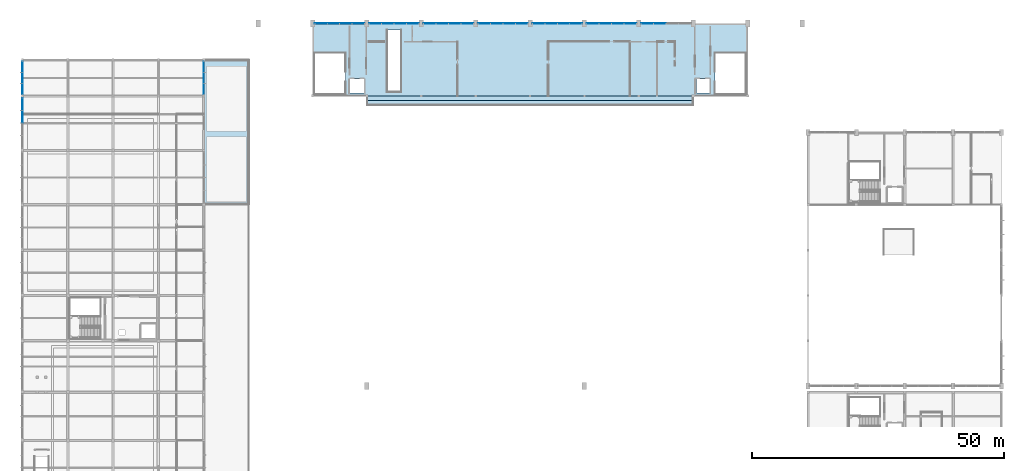
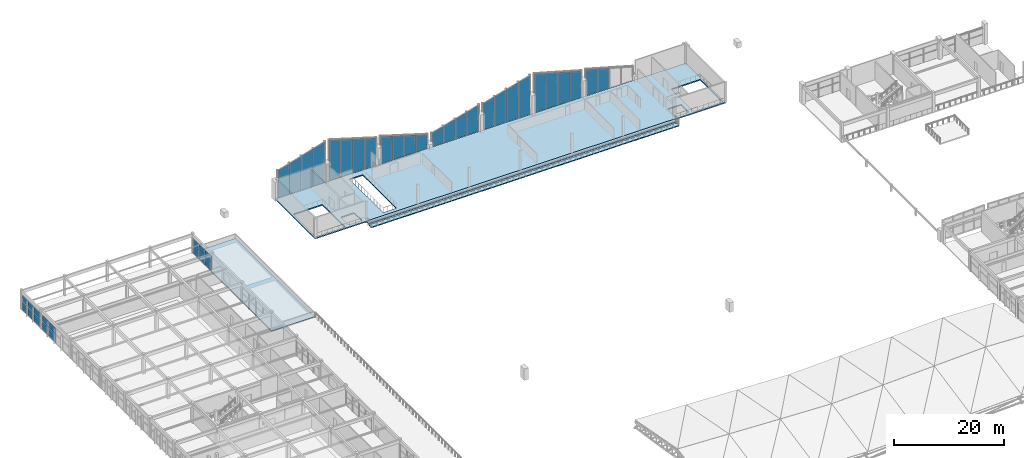
# One storey, part 59 of 89: 42 plates, 4 slabs, 10 elements without a shape of their own.
"""IFC4 building model written with IfcOpenShell, lengths in metres."""

import ifcopenshell
import ifcopenshell.guid

model = None  # the IFC model being written
_history = None  # IfcOwnerHistory: only IFC2X3 demands one
_inside = {}  # id of a spatial element -> (the spatial element, [elements in it])
_under = {}  # id of a project, library or spatial element -> (it, [spatial elements below it])
_declared = {}  # id of a project -> (the project, [libraries it declares])
_typed = {}  # id of a type object -> (the type object, [elements of that type])
_made_of = {}  # id of a material, layer set ... -> (it, [elements and type objects made of it])


def new_model(schema):
    """Start an empty IFC model of exactly this schema.

    Asked for "IFC4X3", IfcOpenShell would pick the latest addendum, in which some entities
    have other attributes; the version numbers below select the first issue.
    IFC2X3 requires an IfcOwnerHistory on every rooted entity: one is made here for all.
    """
    global model, _history
    if schema == "IFC4X3":
        model = ifcopenshell.file(schema_version=(4, 3, 0, 0))
    else:
        model = ifcopenshell.file(schema=schema)
    _inside.clear()
    _under.clear()
    _declared.clear()
    _typed.clear()
    _made_of.clear()
    _history = None
    if model.schema == "IFC2X3":
        org = make("IfcOrganization", Name="unknown")
        user = make(
            "IfcPersonAndOrganization",
            ThePerson=make("IfcPerson", FamilyName="unknown"),
            TheOrganization=org,
        )
        app = make(
            "IfcApplication",
            ApplicationDeveloper=org,
            Version="unknown",
            ApplicationFullName="unknown",
            ApplicationIdentifier="unknown",
        )
        _history = make(
            "IfcOwnerHistory",
            OwningUser=user,
            OwningApplication=app,
            ChangeAction="ADDED",
            CreationDate=0,
        )
    return model


def make(cls, **values):
    """One entity of the class cls with the attributes given. An attribute that is None is left unset."""
    return model.create_entity(
        cls, **{name: value for name, value in values.items() if value is not None}
    )


def rooted(cls, **values):
    """An entity with a GlobalId (a new one), such as an element, a storey or a relation."""
    return make(cls, GlobalId=ifcopenshell.guid.new(), OwnerHistory=_history, **values)


def si_unit(unit_type, name, prefix=None):
    """IfcSIUnit, for example si_unit("LENGTHUNIT", "METRE", prefix="MILLI")."""
    return make("IfcSIUnit", UnitType=unit_type, Prefix=prefix, Name=name)


def assignment(units):
    """IfcUnitAssignment: the units of a project."""
    return None if units is None else make("IfcUnitAssignment", Units=units)


def point(xyz):
    """IfcCartesianPoint."""
    return None if xyz is None else make("IfcCartesianPoint", Coordinates=xyz)


def direction(xyz):
    """IfcDirection."""
    return None if xyz is None else make("IfcDirection", DirectionRatios=xyz)


def frame(location, z_axis=None, x_axis=None):
    """IfcAxis2Placement3D, a coordinate frame: its origin and axes. An axis left out is left unset."""
    return make(
        "IfcAxis2Placement3D",
        Location=point(location),
        Axis=direction(z_axis),
        RefDirection=direction(x_axis),
    )


def origin():
    """The frame at (0, 0, 0) with its axes left unset."""
    return frame((0.0, 0.0, 0.0))


def place(relative_to, where):
    """IfcLocalPlacement: puts the frame where relative to a parent placement (None: the world)."""
    return make(
        "IfcLocalPlacement", PlacementRelTo=relative_to, RelativePlacement=where
    )


def context(
    kind, dimensions, precision=None, world=None, true_north=None, identifier=None
):
    """IfcGeometricRepresentationContext, for example the 3D "Model" context."""
    return make(
        "IfcGeometricRepresentationContext",
        ContextIdentifier=identifier,
        ContextType=kind,
        CoordinateSpaceDimension=dimensions,
        Precision=precision,
        WorldCoordinateSystem=world,
        TrueNorth=true_north,
    )


def subcontext(parent, identifier, kind, view, scale=None):
    """IfcGeometricRepresentationSubContext, for example "Body" below "Model"."""
    return make(
        "IfcGeometricRepresentationSubContext",
        ContextIdentifier=identifier,
        ContextType=kind,
        ParentContext=parent,
        TargetScale=scale,
        TargetView=view,
    )


def project(units=None, contexts=None):
    """IfcProject with its units and contexts."""
    return rooted(
        "IfcProject",
        Name="project",
        RepresentationContexts=contexts,
        UnitsInContext=assignment(units),
    )


def spatial(cls, under=None, at=None, **own):
    """A site, building, storey or space (cls), placed at a placement, below another one or the project."""
    s = rooted(cls, ObjectPlacement=at, **own)
    if under is not None:
        _under.setdefault(under.id(), (under, []))[1].append(s)
    return s


def polyline(points):
    """IfcPolyline through the points."""
    return make("IfcPolyline", Points=[point(p) for p in points])


def outline(outer, holes=None, kind="AREA"):
    """IfcArbitraryClosedProfileDef: a profile drawn as a closed curve; with holes, ...WithVoids."""
    if holes is None:
        return make("IfcArbitraryClosedProfileDef", ProfileType=kind, OuterCurve=outer)
    return make(
        "IfcArbitraryProfileDefWithVoids",
        ProfileType=kind,
        OuterCurve=outer,
        InnerCurves=holes,
    )


def extrude(swept, where, along, depth):
    """IfcExtrudedAreaSolid: the profile swept, set in the frame where, extruded along a direction by depth."""
    return make(
        "IfcExtrudedAreaSolid",
        SweptArea=swept,
        Position=where,
        ExtrudedDirection=direction(along),
        Depth=depth,
    )


def shape(context_of_items, identifier, shape_type, items):
    """IfcShapeRepresentation: the items that make up one representation, for example the "Body"."""
    return make(
        "IfcShapeRepresentation",
        ContextOfItems=context_of_items,
        RepresentationIdentifier=identifier,
        RepresentationType=shape_type,
        Items=items,
    )


def material(Name=None, Category=None):
    """IfcMaterial."""
    return make("IfcMaterial", Name=Name, Category=Category)


def layer(
    of_material, thickness, ventilated=None, Name=None, Category=None, Priority=None
):
    """IfcMaterialLayer: one layer of a wall or slab, of a material (None: an air gap)."""
    return make(
        "IfcMaterialLayer",
        Material=of_material,
        LayerThickness=thickness,
        IsVentilated=ventilated,
        Name=Name,
        Category=Category,
        Priority=Priority,
    )


def layer_set(layers, Name=None):
    """IfcMaterialLayerSet."""
    return make("IfcMaterialLayerSet", MaterialLayers=layers, LayerSetName=Name)


def made_of(thing, what):
    """Note that an element or type object is made of a material, layer set ...; save() writes the relation."""
    if what is not None:
        _made_of.setdefault(what.id(), (what, []))[1].append(thing)
    return thing


def type_object(cls, material=None, **own):
    """A type object (cls), such as IfcWallType, which elements share."""
    return made_of(rooted(cls, **own), material)


def element(
    cls,
    number,
    at=None,
    inside=None,
    cuts=None,
    type_object=None,
    material=None,
    context=None,
    identifier="Body",
    shape_type=None,
    held_by="IfcProductDefinitionShape",
    body=None,
    shapes=None,
    **own,
):
    """One element of the class cls, such as IfcWall. Its Tag is "e" and its number.

    at: its placement. inside: the storey or other place that contains it. cuts: it is an
    opening in that element (IfcRelVoidsElement). A single representation is given by context,
    identifier, shape_type and body (its items); several are given by shapes. held_by: the class
    of the entity that holds the representations. save() writes the other relations.
    """
    e = rooted(cls, Tag="e%d" % number, ObjectPlacement=at, **own)
    if body is not None:
        shapes = [shape(context, identifier, shape_type, body)]
    if shapes is not None:
        e.Representation = make(held_by, Representations=shapes)
    if inside is not None:
        _inside.setdefault(inside.id(), (inside, []))[1].append(e)
    if cuts is not None:
        rooted(
            "IfcRelVoidsElement", RelatingBuildingElement=cuts, RelatedOpeningElement=e
        )
    if type_object is not None:
        _typed.setdefault(type_object.id(), (type_object, []))[1].append(e)
    return made_of(e, material)


def aggregate(whole, parts):
    """IfcRelAggregates: a whole, such as a stair, and the parts it consists of."""
    return rooted("IfcRelAggregates", RelatingObject=whole, RelatedObjects=parts)


def save(model, path):
    """Write the relations noted so far, then the file.

    IfcRelAggregates (storeys below a building ...), IfcRelContainedInSpatialStructure (elements
    in a storey), IfcRelDefinesByType, IfcRelAssociatesMaterial and IfcRelDeclares: one each for
    every whole, place, type object, material and project.
    """
    for whole, parts in _under.values():
        aggregate(whole, parts)
    for where, things in _inside.values():
        rooted(
            "IfcRelContainedInSpatialStructure",
            RelatedElements=things,
            RelatingStructure=where,
        )
    for kind, things in _typed.values():
        rooted("IfcRelDefinesByType", RelatedObjects=things, RelatingType=kind)
    for what, things in _made_of.values():
        rooted("IfcRelAssociatesMaterial", RelatedObjects=things, RelatingMaterial=what)
    for by, libraries in _declared.values():
        rooted("IfcRelDeclares", RelatingContext=by, RelatedDefinitions=libraries)
    model.write(path)


model = new_model("IFC4")

# Units and contexts
model_context = context("Model", 3, precision=1e-05, world=origin(), true_north=direction((0.0, 1.0)))
body_context = subcontext(model_context, "Body", "Model", "MODEL_VIEW")
ifc_project = project(units=[si_unit("LENGTHUNIT", "METRE"), si_unit("AREAUNIT", "SQUARE_METRE"), si_unit("VOLUMEUNIT", "CUBIC_METRE"), si_unit("PLANEANGLEUNIT", "RADIAN"), si_unit("MASSUNIT", "GRAM", prefix="KILO")], contexts=[model_context])

# Site, building, storey
site_placement = place(None, origin())
site = spatial("IfcSite", under=ifc_project, at=site_placement, CompositionType="ELEMENT")
building_placement = place(site_placement, origin())
building = spatial("IfcBuilding", under=site, at=building_placement, Name="Suirenkawa Promenade Aquatics Centre", CompositionType="ELEMENT")
storey_placement = place(building_placement, frame((0.0, 0.0, 9.60009765625)))
storey = spatial("IfcBuildingStorey", under=building, at=storey_placement, Name="L02", CompositionType="ELEMENT", Elevation=9.60009765625)

# Curtain wall, plates
ifc_material_1 = material(Name="Anodised aluminium 6063-T6", Category="aluminium")
curtain_wall_type_1 = type_object("IfcCurtainWallType", Name="CWAT-CLERN-09", PredefinedType="NOTDEFINED", material=ifc_material_1)
curtain_wall_1_placement = place(storey_placement, origin())
curtain_wall_1 = element("IfcCurtainWall", 1, at=curtain_wall_1_placement, inside=storey, type_object=curtain_wall_type_1, Name="Curtain wall CWA-09 CW-013", PredefinedType="NOTDEFINED")
ifc_material_2 = material(Name="Ceramic-fritted low-SHGC double glazing", Category="glass")
ifc_layer_1 = layer(ifc_material_2, 0.031982421875, Name="Ceramic-fritted low-SHGC double glazing", Category="glass")
ifc_layer_set_1 = layer_set([ifc_layer_1], Name="Ceramic-fritted low-SHGC double glazing")
plate_type_1 = type_object("IfcPlateType", Name="CWP-CLER-32", PredefinedType="CURTAIN_PANEL", material=ifc_layer_set_1)
plate_1_placement = place(storey_placement, frame((58.049072265625, 122.39990234375, 0.039794921875), z_axis=(0.0, 0.0, 1.0), x_axis=(1.0, 0.0, 0.0)))
plate_1 = element("IfcPlate", 2, at=plate_1_placement, type_object=plate_type_1, Name="Top glazed panel CP-03 CWP-00299", PredefinedType="CURTAIN_PANEL", context=body_context, shape_type="SweptSolid", body=[
    extrude(outline(polyline([(0.0400390625, 0.0), (2.435546875, 0.0), (2.435546875, 6.820068359375), (0.0400390625, 6.070068359375), (0.0400390625, 0.0)])), frame((0.0, 0.01611328125, 0.0), z_axis=(0.0, -1.0, 0.0), x_axis=(1.0, 0.0, 0.0)), (0.0, 0.0, 1.0), 0.031982421875),
])
plate_2_placement = place(storey_placement, frame((60.5244140625, 122.39990234375, 0.039794921875), z_axis=(0.0, 0.0, 1.0), x_axis=(1.0, 0.0, 0.0)))
plate_2 = element("IfcPlate", 3, at=plate_2_placement, type_object=plate_type_1, Name="Top glazed panel CP-03 CWP-00300", PredefinedType="CURTAIN_PANEL", context=body_context, shape_type="SweptSolid", body=[
    extrude(outline(polyline([(0.0400390625, 0.0), (2.435546875, 0.0), (2.435546875, 7.570068359375), (0.0400390625, 6.820068359375), (0.0400390625, 0.0)])), frame((0.0, 0.01611328125, 0.0), z_axis=(0.0, -1.0, 0.0), x_axis=(1.0, 0.0, 0.0)), (0.0, 0.0, 1.0), 0.031982421875),
])
plate_3_placement = place(storey_placement, frame((63.0, 122.39990234375, 0.039794921875), z_axis=(0.0, 0.0, 1.0), x_axis=(1.0, 0.0, 0.0)))
plate_3 = element("IfcPlate", 4, at=plate_3_placement, type_object=plate_type_1, Name="Top glazed panel CP-03 CWP-00301", PredefinedType="CURTAIN_PANEL", context=body_context, shape_type="SweptSolid", body=[
    extrude(outline(polyline([(0.0400390625, 0.0), (2.435546875, 0.0), (2.435546875, 8.320068359375), (0.0400390625, 7.570068359375), (0.0400390625, 0.0)])), frame((0.0, 0.01611328125, 0.0), z_axis=(0.0, -1.0, 0.0), x_axis=(1.0, 0.0, 0.0)), (0.0, 0.0, 1.0), 0.031982421875),
])
plate_4_placement = place(storey_placement, frame((65.4755859375, 122.39990234375, 0.039794921875), z_axis=(0.0, 0.0, 1.0), x_axis=(1.0, 0.0, 0.0)))
plate_4 = element("IfcPlate", 5, at=plate_4_placement, type_object=plate_type_1, Name="Top glazed panel CP-03 CWP-00302", PredefinedType="CURTAIN_PANEL", context=body_context, shape_type="SweptSolid", body=[
    extrude(outline(polyline([(0.0400390625, 0.0), (2.435546875, 0.0), (2.435546875, 9.070068359375), (0.0400390625, 8.320068359375), (0.0400390625, 0.0)])), frame((0.0, 0.01611328125, 0.0), z_axis=(0.0, -1.0, 0.0), x_axis=(1.0, 0.0, 0.0)), (0.0, 0.0, 1.0), 0.031982421875),
])
aggregate(curtain_wall_1, [plate_1, plate_2, plate_3, plate_4])

curtain_wall_2_placement = place(storey_placement, origin())
curtain_wall_2 = element("IfcCurtainWall", 6, at=curtain_wall_2_placement, inside=storey, type_object=curtain_wall_type_1, Name="Curtain wall CWA-09 CW-015", PredefinedType="NOTDEFINED")
plate_5_placement = place(storey_placement, frame((68.84912109375, 122.39990234375, 0.039794921875), z_axis=(0.0, 0.0, 1.0), x_axis=(1.0, 0.0, 0.0)))
plate_5 = element("IfcPlate", 7, at=plate_5_placement, type_object=plate_type_1, Name="Top glazed panel CP-03 CWP-00337", PredefinedType="CURTAIN_PANEL", context=body_context, shape_type="SweptSolid", body=[
    extrude(outline(polyline([(0.0400390625, 0.0), (2.435546875, 0.0), (2.435546875, 8.320068359375), (0.0400390625, 9.070068359375), (0.0400390625, 0.0)])), frame((0.0, 0.01611328125, 0.0), z_axis=(0.0, -1.0, 0.0), x_axis=(1.0, 0.0, 0.0)), (0.0, 0.0, 1.0), 0.031982421875),
])
plate_6_placement = place(storey_placement, frame((71.324462890625, 122.39990234375, 0.039794921875), z_axis=(0.0, 0.0, 1.0), x_axis=(1.0, 0.0, 0.0)))
plate_6 = element("IfcPlate", 8, at=plate_6_placement, type_object=plate_type_1, Name="Top glazed panel CP-03 CWP-00338", PredefinedType="CURTAIN_PANEL", context=body_context, shape_type="SweptSolid", body=[
    extrude(outline(polyline([(0.0400390625, 0.0), (2.435546875, 0.0), (2.435546875, 7.570068359375), (0.0400390625, 8.320068359375), (0.0400390625, 0.0)])), frame((0.0, 0.01611328125, 0.0), z_axis=(0.0, -1.0, 0.0), x_axis=(1.0, 0.0, 0.0)), (0.0, 0.0, 1.0), 0.031982421875),
])
plate_7_placement = place(storey_placement, frame((73.800048828125, 122.39990234375, 0.039794921875), z_axis=(0.0, 0.0, 1.0), x_axis=(1.0, 0.0, 0.0)))
plate_7 = element("IfcPlate", 9, at=plate_7_placement, type_object=plate_type_1, Name="Top glazed panel CP-03 CWP-00339", PredefinedType="CURTAIN_PANEL", context=body_context, shape_type="SweptSolid", body=[
    extrude(outline(polyline([(0.0400390625, 0.0), (2.435546875, 0.0), (2.435546875, 6.820068359375), (0.0400390625, 7.570068359375), (0.0400390625, 0.0)])), frame((0.0, 0.01611328125, 0.0), z_axis=(0.0, -1.0, 0.0), x_axis=(1.0, 0.0, 0.0)), (0.0, 0.0, 1.0), 0.031982421875),
])
plate_8_placement = place(storey_placement, frame((76.275390625, 122.39990234375, 0.039794921875), z_axis=(0.0, 0.0, 1.0), x_axis=(1.0, 0.0, 0.0)))
plate_8 = element("IfcPlate", 10, at=plate_8_placement, type_object=plate_type_1, Name="Top glazed panel CP-03 CWP-00340", PredefinedType="CURTAIN_PANEL", context=body_context, shape_type="SweptSolid", body=[
    extrude(outline(polyline([(0.0400390625, 0.0), (2.435546875, 0.0), (2.435546875, 6.070068359375), (0.0400390625, 6.820068359375), (0.0400390625, 0.0)])), frame((0.0, 0.01611328125, 0.0), z_axis=(0.0, -1.0, 0.0), x_axis=(1.0, 0.0, 0.0)), (0.0, 0.0, 1.0), 0.031982421875),
])
aggregate(curtain_wall_2, [plate_5, plate_6, plate_7, plate_8])

curtain_wall_type_2 = type_object("IfcCurtainWallType", Name="CWAT-CLERN-10", PredefinedType="NOTDEFINED", material=ifc_material_1)
curtain_wall_3_placement = place(storey_placement, origin())
curtain_wall_3 = element("IfcCurtainWall", 11, at=curtain_wall_3_placement, inside=storey, type_object=curtain_wall_type_2, Name="Curtain wall CWA-10 CW-017", PredefinedType="NOTDEFINED")
plate_9_placement = place(storey_placement, frame((79.64892578125, 122.39990234375, 0.039794921875), z_axis=(0.0, 0.0, 1.0), x_axis=(1.0, 0.0, 0.0)))
plate_9 = element("IfcPlate", 12, at=plate_9_placement, type_object=plate_type_1, Name="Top glazed panel CP-03 CWP-00375", PredefinedType="CURTAIN_PANEL", context=body_context, shape_type="SweptSolid", body=[
    extrude(outline(polyline([(0.0400390625, 0.0), (2.435546875, 0.0), (2.435546875, 5.320068359375), (0.0400390625, 6.070068359375), (0.0400390625, 0.0)])), frame((0.0, 0.01611328125, 0.0), z_axis=(0.0, -1.0, 0.0), x_axis=(1.0, 0.0, 0.0)), (0.0, 0.0, 1.0), 0.031982421875),
])
plate_10_placement = place(storey_placement, frame((82.12451171875, 122.39990234375, 0.039794921875), z_axis=(0.0, 0.0, 1.0), x_axis=(1.0, 0.0, 0.0)))
plate_10 = element("IfcPlate", 13, at=plate_10_placement, type_object=plate_type_1, Name="Top glazed panel CP-03 CWP-00376", PredefinedType="CURTAIN_PANEL", context=body_context, shape_type="SweptSolid", body=[
    extrude(outline(polyline([(0.0400390625, 0.0), (2.435546875, 0.0), (2.435546875, 4.570068359375), (0.0400390625, 5.320068359375), (0.0400390625, 0.0)])), frame((0.0, 0.01611328125, 0.0), z_axis=(0.0, -1.0, 0.0), x_axis=(1.0, 0.0, 0.0)), (0.0, 0.0, 1.0), 0.031982421875),
])
plate_11_placement = place(storey_placement, frame((84.60009765625, 122.39990234375, 0.039794921875), z_axis=(0.0, 0.0, 1.0), x_axis=(1.0, 0.0, 0.0)))
plate_11 = element("IfcPlate", 14, at=plate_11_placement, type_object=plate_type_1, Name="Top glazed panel CP-03 CWP-00377", PredefinedType="CURTAIN_PANEL", context=body_context, shape_type="SweptSolid", body=[
    extrude(outline(polyline([(0.0400390625, 0.0), (2.435546875, 0.0), (2.435546875, 3.820068359375), (0.0400390625, 4.570068359375), (0.0400390625, 0.0)])), frame((0.0, 0.01611328125, 0.0), z_axis=(0.0, -1.0, 0.0), x_axis=(1.0, 0.0, 0.0)), (0.0, 0.0, 1.0), 0.031982421875),
])
plate_12_placement = place(storey_placement, frame((87.075439453125, 122.39990234375, 0.039794921875), z_axis=(0.0, 0.0, 1.0), x_axis=(1.0, 0.0, 0.0)))
plate_12 = element("IfcPlate", 15, at=plate_12_placement, type_object=plate_type_1, Name="Top glazed panel CP-03 CWP-00378", PredefinedType="CURTAIN_PANEL", context=body_context, shape_type="SweptSolid", body=[
    extrude(outline(polyline([(0.0400390625, 0.0), (2.435546875, 0.0), (2.435546875, 3.070068359375), (0.0400390625, 3.820068359375), (0.0400390625, 0.0)])), frame((0.0, 0.01611328125, 0.0), z_axis=(0.0, -1.0, 0.0), x_axis=(1.0, 0.0, 0.0)), (0.0, 0.0, 1.0), 0.031982421875),
])
aggregate(curtain_wall_3, [plate_9, plate_10, plate_11, plate_12])

curtain_wall_type_3 = type_object("IfcCurtainWallType", Name="CWAT-CLERN-13", PredefinedType="NOTDEFINED", material=ifc_material_1)
curtain_wall_4_placement = place(storey_placement, origin())
curtain_wall_4 = element("IfcCurtainWall", 16, at=curtain_wall_4_placement, inside=storey, type_object=curtain_wall_type_3, Name="Curtain wall CWA-13 CW-020", PredefinedType="NOTDEFINED")
plate_13_placement = place(storey_placement, frame((90.448974609375, 122.39990234375, 0.039794921875), z_axis=(0.0, 0.0, 1.0), x_axis=(1.0, 0.0, 0.0)))
plate_13 = element("IfcPlate", 17, at=plate_13_placement, type_object=plate_type_1, Name="Top glazed panel CP-03 CWP-00435", PredefinedType="CURTAIN_PANEL", context=body_context, shape_type="SweptSolid", body=[
    extrude(outline(polyline([(0.0400390625, 0.0), (2.435546875, 0.0), (2.435546875, 3.77001953125), (0.0400390625, 3.070068359375), (0.0400390625, 0.0)])), frame((0.0, 0.01611328125, 0.0), z_axis=(0.0, -1.0, 0.0), x_axis=(1.0, 0.0, 0.0)), (0.0, 0.0, 1.0), 0.031982421875),
])
plate_14_placement = place(storey_placement, frame((92.924560546875, 122.39990234375, 0.039794921875), z_axis=(0.0, 0.0, 1.0), x_axis=(1.0, 0.0, 0.0)))
plate_14 = element("IfcPlate", 18, at=plate_14_placement, type_object=plate_type_1, Name="Top glazed panel CP-03 CWP-00436", PredefinedType="CURTAIN_PANEL", context=body_context, shape_type="SweptSolid", body=[
    extrude(outline(polyline([(0.0400390625, 0.0), (2.435546875, 0.0), (2.435546875, 4.47021484375), (0.0400390625, 3.77001953125), (0.0400390625, 0.0)])), frame((0.0, 0.01611328125, 0.0), z_axis=(0.0, -1.0, 0.0), x_axis=(1.0, 0.0, 0.0)), (0.0, 0.0, 1.0), 0.031982421875),
])
plate_15_placement = place(storey_placement, frame((95.39990234375, 122.39990234375, 0.039794921875), z_axis=(0.0, 0.0, 1.0), x_axis=(1.0, 0.0, 0.0)))
plate_15 = element("IfcPlate", 19, at=plate_15_placement, type_object=plate_type_1, Name="Top glazed panel CP-03 CWP-00437", PredefinedType="CURTAIN_PANEL", context=body_context, shape_type="SweptSolid", body=[
    extrude(outline(polyline([(0.0400390625, 0.0), (2.435546875, 0.0), (2.435546875, 5.170166015625), (0.0400390625, 4.47021484375), (0.0400390625, 0.0)])), frame((0.0, 0.01611328125, 0.0), z_axis=(0.0, -1.0, 0.0), x_axis=(1.0, 0.0, 0.0)), (0.0, 0.0, 1.0), 0.031982421875),
])
plate_16_placement = place(storey_placement, frame((97.87548828125, 122.39990234375, 0.039794921875), z_axis=(0.0, 0.0, 1.0), x_axis=(1.0, 0.0, 0.0)))
plate_16 = element("IfcPlate", 20, at=plate_16_placement, type_object=plate_type_1, Name="Top glazed panel CP-03 CWP-00438", PredefinedType="CURTAIN_PANEL", context=body_context, shape_type="SweptSolid", body=[
    extrude(outline(polyline([(0.0400390625, 0.0), (2.435546875, 0.0), (2.435546875, 5.8701171875), (0.0400390625, 5.170166015625), (0.0400390625, 0.0)])), frame((0.0, 0.01611328125, 0.0), z_axis=(0.0, -1.0, 0.0), x_axis=(1.0, 0.0, 0.0)), (0.0, 0.0, 1.0), 0.031982421875),
])
aggregate(curtain_wall_4, [plate_13, plate_14, plate_15, plate_16])

curtain_wall_type_4 = type_object("IfcCurtainWallType", Name="CWAT-CLERN-15", PredefinedType="NOTDEFINED", material=ifc_material_1)
curtain_wall_5_placement = place(storey_placement, origin())
curtain_wall_5 = element("IfcCurtainWall", 21, at=curtain_wall_5_placement, inside=storey, type_object=curtain_wall_type_4, Name="Curtain wall CWA-15 CW-023", PredefinedType="NOTDEFINED")
plate_17_placement = place(storey_placement, frame((101.2490234375, 122.39990234375, 0.039794921875), z_axis=(0.0, 0.0, 1.0), x_axis=(1.0, 0.0, 0.0)))
plate_17 = element("IfcPlate", 22, at=plate_17_placement, type_object=plate_type_1, Name="Top glazed panel CP-03 CWP-00495", PredefinedType="CURTAIN_PANEL", context=body_context, shape_type="SweptSolid", body=[
    extrude(outline(polyline([(0.0400390625, 0.0), (2.435546875, 0.0), (2.435546875, 6.570068359375), (0.0400390625, 5.8701171875), (0.0400390625, 0.0)])), frame((0.0, 0.01611328125, 0.0), z_axis=(0.0, -1.0, 0.0), x_axis=(1.0, 0.0, 0.0)), (0.0, 0.0, 1.0), 0.031982421875),
])
plate_18_placement = place(storey_placement, frame((103.724609375, 122.39990234375, 0.039794921875), z_axis=(0.0, 0.0, 1.0), x_axis=(1.0, 0.0, 0.0)))
plate_18 = element("IfcPlate", 23, at=plate_18_placement, type_object=plate_type_1, Name="Top glazed panel CP-03 CWP-00496", PredefinedType="CURTAIN_PANEL", context=body_context, shape_type="SweptSolid", body=[
    extrude(outline(polyline([(0.0400390625, 0.0), (2.435546875, 0.0), (2.435546875, 7.27001953125), (0.0400390625, 6.570068359375), (0.0400390625, 0.0)])), frame((0.0, 0.01611328125, 0.0), z_axis=(0.0, -1.0, 0.0), x_axis=(1.0, 0.0, 0.0)), (0.0, 0.0, 1.0), 0.031982421875),
])
plate_19_placement = place(storey_placement, frame((106.199951171875, 122.39990234375, 0.039794921875), z_axis=(0.0, 0.0, 1.0), x_axis=(1.0, 0.0, 0.0)))
plate_19 = element("IfcPlate", 24, at=plate_19_placement, type_object=plate_type_1, Name="Top glazed panel CP-03 CWP-00497", PredefinedType="CURTAIN_PANEL", context=body_context, shape_type="SweptSolid", body=[
    extrude(outline(polyline([(0.0400390625, 0.0), (2.435546875, 0.0), (2.435546875, 7.97021484375), (0.0400390625, 7.27001953125), (0.0400390625, 0.0)])), frame((0.0, 0.01611328125, 0.0), z_axis=(0.0, -1.0, 0.0), x_axis=(1.0, 0.0, 0.0)), (0.0, 0.0, 1.0), 0.031982421875),
])
plate_20_placement = place(storey_placement, frame((108.675537109375, 122.39990234375, 0.039794921875), z_axis=(0.0, 0.0, 1.0), x_axis=(1.0, 0.0, 0.0)))
plate_20 = element("IfcPlate", 25, at=plate_20_placement, type_object=plate_type_1, Name="Top glazed panel CP-03 CWP-00498", PredefinedType="CURTAIN_PANEL", context=body_context, shape_type="SweptSolid", body=[
    extrude(outline(polyline([(0.0400390625, 0.0), (2.435546875, 0.0), (2.435546875, 8.670166015625), (0.0400390625, 7.97021484375), (0.0400390625, 0.0)])), frame((0.0, 0.01611328125, 0.0), z_axis=(0.0, -1.0, 0.0), x_axis=(1.0, 0.0, 0.0)), (0.0, 0.0, 1.0), 0.031982421875),
])
aggregate(curtain_wall_5, [plate_17, plate_18, plate_19, plate_20])

curtain_wall_6_placement = place(storey_placement, origin())
curtain_wall_6 = element("IfcCurtainWall", 26, at=curtain_wall_6_placement, inside=storey, type_object=curtain_wall_type_4, Name="Curtain wall CWA-15 CW-026", PredefinedType="NOTDEFINED")
plate_21_placement = place(storey_placement, frame((112.049072265625, 122.39990234375, 0.039794921875), z_axis=(0.0, 0.0, 1.0), x_axis=(1.0, 0.0, 0.0)))
plate_21 = element("IfcPlate", 27, at=plate_21_placement, type_object=plate_type_1, Name="Top glazed panel CP-03 CWP-00555", PredefinedType="CURTAIN_PANEL", context=body_context, shape_type="SweptSolid", body=[
    extrude(outline(polyline([(0.0400390625, 0.0), (2.435546875, 0.0), (2.435546875, 7.97021484375), (0.0400390625, 8.670166015625), (0.0400390625, 0.0)])), frame((0.0, 0.01611328125, 0.0), z_axis=(0.0, -1.0, 0.0), x_axis=(1.0, 0.0, 0.0)), (0.0, 0.0, 1.0), 0.031982421875),
])
plate_22_placement = place(storey_placement, frame((114.5244140625, 122.39990234375, 0.039794921875), z_axis=(0.0, 0.0, 1.0), x_axis=(1.0, 0.0, 0.0)))
plate_22 = element("IfcPlate", 28, at=plate_22_placement, type_object=plate_type_1, Name="Top glazed panel CP-03 CWP-00556", PredefinedType="CURTAIN_PANEL", context=body_context, shape_type="SweptSolid", body=[
    extrude(outline(polyline([(0.0400390625, 0.0), (2.435546875, 0.0), (2.435546875, 7.27001953125), (0.0400390625, 7.97021484375), (0.0400390625, 0.0)])), frame((0.0, 0.01611328125, 0.0), z_axis=(0.0, -1.0, 0.0), x_axis=(1.0, 0.0, 0.0)), (0.0, 0.0, 1.0), 0.031982421875),
])
plate_23_placement = place(storey_placement, frame((117.0, 122.39990234375, 0.039794921875), z_axis=(0.0, 0.0, 1.0), x_axis=(1.0, 0.0, 0.0)))
plate_23 = element("IfcPlate", 29, at=plate_23_placement, type_object=plate_type_1, Name="Top glazed panel CP-03 CWP-00557", PredefinedType="CURTAIN_PANEL", context=body_context, shape_type="SweptSolid", body=[
    extrude(outline(polyline([(0.0400390625, 0.0), (2.435546875, 0.0), (2.435546875, 6.570068359375), (0.0400390625, 7.27001953125), (0.0400390625, 0.0)])), frame((0.0, 0.01611328125, 0.0), z_axis=(0.0, -1.0, 0.0), x_axis=(1.0, 0.0, 0.0)), (0.0, 0.0, 1.0), 0.031982421875),
])
plate_24_placement = place(storey_placement, frame((119.4755859375, 122.39990234375, 0.039794921875), z_axis=(0.0, 0.0, 1.0), x_axis=(1.0, 0.0, 0.0)))
plate_24 = element("IfcPlate", 30, at=plate_24_placement, type_object=plate_type_1, Name="Top glazed panel CP-03 CWP-00558", PredefinedType="CURTAIN_PANEL", context=body_context, shape_type="SweptSolid", body=[
    extrude(outline(polyline([(0.0400390625, 0.0), (2.435546875, 0.0), (2.435546875, 5.8701171875), (0.0400390625, 6.570068359375), (0.0400390625, 0.0)])), frame((0.0, 0.01611328125, 0.0), z_axis=(0.0, -1.0, 0.0), x_axis=(1.0, 0.0, 0.0)), (0.0, 0.0, 1.0), 0.031982421875),
])
aggregate(curtain_wall_6, [plate_21, plate_22, plate_23, plate_24])

curtain_wall_7_placement = place(storey_placement, origin())
curtain_wall_7 = element("IfcCurtainWall", 31, at=curtain_wall_7_placement, inside=storey, type_object=curtain_wall_type_3, Name="Curtain wall CWA-13 CW-029", PredefinedType="NOTDEFINED")
plate_25_placement = place(storey_placement, frame((122.84912109375, 122.39990234375, 0.039794921875), z_axis=(0.0, 0.0, 1.0), x_axis=(1.0, 0.0, 0.0)))
plate_25 = element("IfcPlate", 32, at=plate_25_placement, type_object=plate_type_1, Name="Top glazed panel CP-03 CWP-00615", PredefinedType="CURTAIN_PANEL", context=body_context, shape_type="SweptSolid", body=[
    extrude(outline(polyline([(0.0400390625, 0.0), (2.435546875, 0.0), (2.435546875, 5.170166015625), (0.0400390625, 5.8701171875), (0.0400390625, 0.0)])), frame((0.0, 0.01611328125, 0.0), z_axis=(0.0, -1.0, 0.0), x_axis=(1.0, 0.0, 0.0)), (0.0, 0.0, 1.0), 0.031982421875),
])
plate_26_placement = place(storey_placement, frame((125.324462890625, 122.39990234375, 0.039794921875), z_axis=(0.0, 0.0, 1.0), x_axis=(1.0, 0.0, 0.0)))
plate_26 = element("IfcPlate", 33, at=plate_26_placement, type_object=plate_type_1, Name="Top glazed panel CP-03 CWP-00616", PredefinedType="CURTAIN_PANEL", context=body_context, shape_type="SweptSolid", body=[
    extrude(outline(polyline([(0.0400390625, 0.0), (2.435546875, 0.0), (2.435546875, 4.47021484375), (0.0400390625, 5.170166015625), (0.0400390625, 0.0)])), frame((0.0, 0.01611328125, 0.0), z_axis=(0.0, -1.0, 0.0), x_axis=(1.0, 0.0, 0.0)), (0.0, 0.0, 1.0), 0.031982421875),
])
aggregate(curtain_wall_7, [plate_25, plate_26])

curtain_wall_type_5 = type_object("IfcCurtainWallType", Name="CWAT-V5EL02-70", PredefinedType="NOTDEFINED", material=ifc_material_1)
curtain_wall_8_placement = place(storey_placement, origin())
curtain_wall_8 = element("IfcCurtainWall", 34, at=curtain_wall_8_placement, inside=storey, type_object=curtain_wall_type_5, Name="Curtain wall CWA-70 CW-130", PredefinedType="NOTDEFINED")
ifc_material_3 = material(Name="Low-E thermally broken double glazing", Category="glass")
ifc_layer_2 = layer(ifc_material_3, 0.028076171875, Name="Low-E thermally broken double glazing", Category="glass")
ifc_layer_set_2 = layer_set([ifc_layer_2], Name="Low-E thermally broken double glazing")
plate_type_2 = type_object("IfcPlateType", Name="CWP-LOWE-28", PredefinedType="CURTAIN_PANEL", material=ifc_layer_set_2)
plate_27_placement = place(storey_placement, frame((36.0, 114.85107421875, 0.039794921875), z_axis=(0.0, 0.0, 1.0), x_axis=(0.0, -1.0, 0.0)))
plate_27 = element("IfcPlate", 35, at=plate_27_placement, type_object=plate_type_2, Name="Glazed panel CP-02 CWP-02640", PredefinedType="CURTAIN_PANEL", context=body_context, shape_type="SweptSolid", body=[
    extrude(outline(polyline([(0.0400390625, 0.0), (2.12744140625, 0.0), (2.12744140625, 1.8701171875), (0.0400390625, 1.8701171875), (0.0400390625, 0.0)])), frame((0.0, 0.01416015625, 0.0), z_axis=(0.0, -1.0, 0.0), x_axis=(1.0, 0.0, 0.0)), (0.0, 0.0, 1.0), 0.028076171875),
])
plate_28_placement = place(storey_placement, frame((36.0, 114.85107421875, 1.989990234375), z_axis=(0.0, 0.0, 1.0), x_axis=(0.0, -1.0, 0.0)))
plate_28 = element("IfcPlate", 36, at=plate_28_placement, type_object=plate_type_2, Name="Top glazed panel CP-02 CWP-02641", PredefinedType="CURTAIN_PANEL", context=body_context, shape_type="SweptSolid", body=[
    extrude(outline(polyline([(0.0400390625, 0.0), (2.12744140625, 0.0), (2.12744140625, 1.33984375), (0.0400390625, 1.33984375), (0.0400390625, 0.0)])), frame((0.0, 0.01416015625, 0.0), z_axis=(0.0, -1.0, 0.0), x_axis=(1.0, 0.0, 0.0)), (0.0, 0.0, 1.0), 0.028076171875),
])
plate_29_placement = place(storey_placement, frame((36.0, 112.68359375, 0.039794921875), z_axis=(0.0, 0.0, 1.0), x_axis=(0.0, -1.0, 0.0)))
plate_29 = element("IfcPlate", 37, at=plate_29_placement, type_object=plate_type_2, Name="Glazed panel CP-02 CWP-02642", PredefinedType="CURTAIN_PANEL", context=body_context, shape_type="SweptSolid", body=[
    extrude(outline(polyline([(0.0400390625, 0.0), (2.12744140625, 0.0), (2.12744140625, 1.8701171875), (0.0400390625, 1.8701171875), (0.0400390625, 0.0)])), frame((0.0, 0.01416015625, 0.0), z_axis=(0.0, -1.0, 0.0), x_axis=(1.0, 0.0, 0.0)), (0.0, 0.0, 1.0), 0.028076171875),
])
plate_30_placement = place(storey_placement, frame((36.0, 112.68359375, 1.989990234375), z_axis=(0.0, 0.0, 1.0), x_axis=(0.0, -1.0, 0.0)))
plate_30 = element("IfcPlate", 38, at=plate_30_placement, type_object=plate_type_2, Name="Top glazed panel CP-02 CWP-02643", PredefinedType="CURTAIN_PANEL", context=body_context, shape_type="SweptSolid", body=[
    extrude(outline(polyline([(0.0400390625, 0.0), (2.12744140625, 0.0), (2.12744140625, 1.33984375), (0.0400390625, 1.33984375), (0.0400390625, 0.0)])), frame((0.0, 0.01416015625, 0.0), z_axis=(0.0, -1.0, 0.0), x_axis=(1.0, 0.0, 0.0)), (0.0, 0.0, 1.0), 0.028076171875),
])
plate_31_placement = place(storey_placement, frame((36.0, 110.516357421875, 0.039794921875), z_axis=(0.0, 0.0, 1.0), x_axis=(0.0, -1.0, 0.0)))
plate_31 = element("IfcPlate", 39, at=plate_31_placement, type_object=plate_type_2, Name="Glazed panel CP-02 CWP-02644", PredefinedType="CURTAIN_PANEL", context=body_context, shape_type="SweptSolid", body=[
    extrude(outline(polyline([(0.0400390625, 0.0), (2.12744140625, 0.0), (2.12744140625, 1.8701171875), (0.0400390625, 1.8701171875), (0.0400390625, 0.0)])), frame((0.0, 0.01416015625, 0.0), z_axis=(0.0, -1.0, 0.0), x_axis=(1.0, 0.0, 0.0)), (0.0, 0.0, 1.0), 0.028076171875),
])
plate_32_placement = place(storey_placement, frame((36.0, 110.516357421875, 1.989990234375), z_axis=(0.0, 0.0, 1.0), x_axis=(0.0, -1.0, 0.0)))
plate_32 = element("IfcPlate", 40, at=plate_32_placement, type_object=plate_type_2, Name="Top glazed panel CP-02 CWP-02645", PredefinedType="CURTAIN_PANEL", context=body_context, shape_type="SweptSolid", body=[
    extrude(outline(polyline([(0.0400390625, 0.0), (2.12744140625, 0.0), (2.12744140625, 1.33984375), (0.0400390625, 1.33984375), (0.0400390625, 0.0)])), frame((0.0, 0.01416015625, 0.0), z_axis=(0.0, -1.0, 0.0), x_axis=(1.0, 0.0, 0.0)), (0.0, 0.0, 1.0), 0.028076171875),
])
aggregate(curtain_wall_8, [plate_27, plate_28, plate_29, plate_30, plate_31, plate_32])

curtain_wall_type_6 = type_object("IfcCurtainWallType", Name="CWAT-V5WL02-68", PredefinedType="NOTDEFINED", material=ifc_material_1)
curtain_wall_9_placement = place(storey_placement, origin())
curtain_wall_9 = element("IfcCurtainWall", 41, at=curtain_wall_9_placement, inside=storey, type_object=curtain_wall_type_6, Name="Curtain wall CWA-68 CW-128", PredefinedType="NOTDEFINED")
ifc_layer_3 = layer(ifc_material_2, 0.035888671875, Name="Ceramic-fritted low-SHGC double glazing", Category="glass")
ifc_layer_set_3 = layer_set([ifc_layer_3], Name="Ceramic-fritted low-SHGC double glazing")
plate_type_3 = type_object("IfcPlateType", Name="CWP-SHOJI-36", PredefinedType="CURTAIN_PANEL", material=ifc_layer_set_3)
plate_33_placement = place(storey_placement, frame((0.0, 102.64990234375, 0.039794921875), z_axis=(0.0, 0.0, 1.0), x_axis=(0.0, 1.0, 0.0)))
plate_33 = element("IfcPlate", 42, at=plate_33_placement, type_object=plate_type_3, Name="Glazed panel CP-01 CWP-02608", PredefinedType="CURTAIN_PANEL", context=body_context, shape_type="SweptSolid", body=[
    extrude(outline(polyline([(0.0400390625, 0.0), (2.46044921875, 0.0), (2.46044921875, 1.8701171875), (0.0400390625, 1.8701171875), (0.0400390625, 0.0)])), frame((0.0, 0.01806640625, 0.0), z_axis=(0.0, -1.0, 0.0), x_axis=(1.0, 0.0, 0.0)), (0.0, 0.0, 1.0), 0.035888671875),
])
plate_34_placement = place(storey_placement, frame((0.0, 102.64990234375, 1.989990234375), z_axis=(0.0, 0.0, 1.0), x_axis=(0.0, 1.0, 0.0)))
plate_34 = element("IfcPlate", 43, at=plate_34_placement, type_object=plate_type_3, Name="Top glazed panel CP-01 CWP-02609", PredefinedType="CURTAIN_PANEL", context=body_context, shape_type="SweptSolid", body=[
    extrude(outline(polyline([(0.0400390625, 0.0), (2.46044921875, 0.0), (2.46044921875, 1.33984375), (0.0400390625, 1.33984375), (0.0400390625, 0.0)])), frame((0.0, 0.01806640625, 0.0), z_axis=(0.0, -1.0, 0.0), x_axis=(1.0, 0.0, 0.0)), (0.0, 0.0, 1.0), 0.035888671875),
])
plate_35_placement = place(storey_placement, frame((0.0, 105.150390625, 0.039794921875), z_axis=(0.0, 0.0, 1.0), x_axis=(0.0, 1.0, 0.0)))
plate_35 = element("IfcPlate", 44, at=plate_35_placement, type_object=plate_type_3, Name="Glazed panel CP-01 CWP-02610", PredefinedType="CURTAIN_PANEL", context=body_context, shape_type="SweptSolid", body=[
    extrude(outline(polyline([(0.0400390625, 0.0), (2.46044921875, 0.0), (2.46044921875, 1.8701171875), (0.0400390625, 1.8701171875), (0.0400390625, 0.0)])), frame((0.0, 0.01806640625, 0.0), z_axis=(0.0, -1.0, 0.0), x_axis=(1.0, 0.0, 0.0)), (0.0, 0.0, 1.0), 0.035888671875),
])
plate_36_placement = place(storey_placement, frame((0.0, 105.150390625, 1.989990234375), z_axis=(0.0, 0.0, 1.0), x_axis=(0.0, 1.0, 0.0)))
plate_36 = element("IfcPlate", 45, at=plate_36_placement, type_object=plate_type_3, Name="Top glazed panel CP-01 CWP-02611", PredefinedType="CURTAIN_PANEL", context=body_context, shape_type="SweptSolid", body=[
    extrude(outline(polyline([(0.0400390625, 0.0), (2.46044921875, 0.0), (2.46044921875, 1.33984375), (0.0400390625, 1.33984375), (0.0400390625, 0.0)])), frame((0.0, 0.01806640625, 0.0), z_axis=(0.0, -1.0, 0.0), x_axis=(1.0, 0.0, 0.0)), (0.0, 0.0, 1.0), 0.035888671875),
])
aggregate(curtain_wall_9, [plate_33, plate_34, plate_35, plate_36])

curtain_wall_type_7 = type_object("IfcCurtainWallType", Name="CWAT-V5WL02-69", PredefinedType="NOTDEFINED", material=ifc_material_1)
curtain_wall_10_placement = place(storey_placement, origin())
curtain_wall_10 = element("IfcCurtainWall", 46, at=curtain_wall_10_placement, inside=storey, type_object=curtain_wall_type_7, Name="Curtain wall CWA-69 CW-129", PredefinedType="NOTDEFINED")
plate_37_placement = place(storey_placement, frame((0.0, 108.34912109375, 0.039794921875), z_axis=(0.0, 0.0, 1.0), x_axis=(0.0, 1.0, 0.0)))
plate_37 = element("IfcPlate", 47, at=plate_37_placement, type_object=plate_type_3, Name="Glazed panel CP-01 CWP-02623", PredefinedType="CURTAIN_PANEL", context=body_context, shape_type="SweptSolid", body=[
    extrude(outline(polyline([(0.0400390625, 0.0), (2.12744140625, 0.0), (2.12744140625, 1.8701171875), (0.0400390625, 1.8701171875), (0.0400390625, 0.0)])), frame((0.0, 0.01806640625, 0.0), z_axis=(0.0, -1.0, 0.0), x_axis=(1.0, 0.0, 0.0)), (0.0, 0.0, 1.0), 0.035888671875),
])
plate_38_placement = place(storey_placement, frame((0.0, 108.34912109375, 1.989990234375), z_axis=(0.0, 0.0, 1.0), x_axis=(0.0, 1.0, 0.0)))
plate_38 = element("IfcPlate", 48, at=plate_38_placement, type_object=plate_type_3, Name="Top glazed panel CP-01 CWP-02624", PredefinedType="CURTAIN_PANEL", context=body_context, shape_type="SweptSolid", body=[
    extrude(outline(polyline([(0.0400390625, 0.0), (2.12744140625, 0.0), (2.12744140625, 1.33984375), (0.0400390625, 1.33984375), (0.0400390625, 0.0)])), frame((0.0, 0.01806640625, 0.0), z_axis=(0.0, -1.0, 0.0), x_axis=(1.0, 0.0, 0.0)), (0.0, 0.0, 1.0), 0.035888671875),
])
plate_39_placement = place(storey_placement, frame((0.0, 110.516357421875, 0.039794921875), z_axis=(0.0, 0.0, 1.0), x_axis=(0.0, 1.0, 0.0)))
plate_39 = element("IfcPlate", 49, at=plate_39_placement, type_object=plate_type_3, Name="Glazed panel CP-01 CWP-02625", PredefinedType="CURTAIN_PANEL", context=body_context, shape_type="SweptSolid", body=[
    extrude(outline(polyline([(0.0400390625, 0.0), (2.12744140625, 0.0), (2.12744140625, 1.8701171875), (0.0400390625, 1.8701171875), (0.0400390625, 0.0)])), frame((0.0, 0.01806640625, 0.0), z_axis=(0.0, -1.0, 0.0), x_axis=(1.0, 0.0, 0.0)), (0.0, 0.0, 1.0), 0.035888671875),
])
plate_40_placement = place(storey_placement, frame((0.0, 110.516357421875, 1.989990234375), z_axis=(0.0, 0.0, 1.0), x_axis=(0.0, 1.0, 0.0)))
plate_40 = element("IfcPlate", 50, at=plate_40_placement, type_object=plate_type_3, Name="Top glazed panel CP-01 CWP-02626", PredefinedType="CURTAIN_PANEL", context=body_context, shape_type="SweptSolid", body=[
    extrude(outline(polyline([(0.0400390625, 0.0), (2.12744140625, 0.0), (2.12744140625, 1.33984375), (0.0400390625, 1.33984375), (0.0400390625, 0.0)])), frame((0.0, 0.01806640625, 0.0), z_axis=(0.0, -1.0, 0.0), x_axis=(1.0, 0.0, 0.0)), (0.0, 0.0, 1.0), 0.035888671875),
])
plate_41_placement = place(storey_placement, frame((0.0, 112.68359375, 0.039794921875), z_axis=(0.0, 0.0, 1.0), x_axis=(0.0, 1.0, 0.0)))
plate_41 = element("IfcPlate", 51, at=plate_41_placement, type_object=plate_type_3, Name="Glazed panel CP-01 CWP-02627", PredefinedType="CURTAIN_PANEL", context=body_context, shape_type="SweptSolid", body=[
    extrude(outline(polyline([(0.0400390625, 0.0), (2.12744140625, 0.0), (2.12744140625, 1.8701171875), (0.0400390625, 1.8701171875), (0.0400390625, 0.0)])), frame((0.0, 0.01806640625, 0.0), z_axis=(0.0, -1.0, 0.0), x_axis=(1.0, 0.0, 0.0)), (0.0, 0.0, 1.0), 0.035888671875),
])
plate_42_placement = place(storey_placement, frame((0.0, 112.68359375, 1.989990234375), z_axis=(0.0, 0.0, 1.0), x_axis=(0.0, 1.0, 0.0)))
plate_42 = element("IfcPlate", 52, at=plate_42_placement, type_object=plate_type_3, Name="Top glazed panel CP-01 CWP-02628", PredefinedType="CURTAIN_PANEL", context=body_context, shape_type="SweptSolid", body=[
    extrude(outline(polyline([(0.0400390625, 0.0), (2.12744140625, 0.0), (2.12744140625, 1.33984375), (0.0400390625, 1.33984375), (0.0400390625, 0.0)])), frame((0.0, 0.01806640625, 0.0), z_axis=(0.0, -1.0, 0.0), x_axis=(1.0, 0.0, 0.0)), (0.0, 0.0, 1.0), 0.035888671875),
])
aggregate(curtain_wall_10, [plate_37, plate_38, plate_39, plate_40, plate_41, plate_42])

# Slabs
ifc_material_4 = material(Name="Concrete M35", Category="concrete")
ifc_layer_4 = layer(ifc_material_4, 0.22998046875, Name="Concrete M35", Category="concrete")
ifc_layer_set_4 = layer_set([ifc_layer_4], Name="Concrete M35")
slab_type_1 = type_object("IfcSlabType", Name="SLT-ROOF-FLAT-230", PredefinedType="ROOF", material=ifc_layer_set_4)
slab_1_placement = place(storey_placement, frame((0.0, 0.0, -0.22998046875)))
element("IfcSlab", 53, at=slab_1_placement, inside=storey, type_object=slab_type_1, Name="V5 L02 north podium roof SL-ROOF-04 SL-0067", PredefinedType="ROOF", context=body_context, shape_type="SweptSolid", body=[
    extrude(outline(polyline([(36.0, 86.39990234375), (45.0, 86.39990234375), (45.0, 115.199951171875), (36.0, 115.199951171875), (36.0, 86.39990234375)])), origin(), (0.0, 0.0, 1.0), 0.22998046875),
])
ifc_material_5 = material(Name="Precast concrete M45", Category="concrete")
ifc_layer_5 = layer(ifc_material_5, 0.18994140625, Name="Precast concrete M45", Category="concrete")
ifc_layer_set_5 = layer_set([ifc_layer_5], Name="Precast concrete M45")
slab_type_2 = type_object("IfcSlabType", Name="SLT-TIER-190", PredefinedType="USERDEFINED", material=ifc_layer_set_5)
slab_2_placement = place(storey_placement, frame((0.0, 0.0, -0.489990234375)))
element("IfcSlab", 54, at=slab_2_placement, inside=storey, type_object=slab_type_2, Name="Stand upper VIP tier row 1 SL-TIER-01 SL-0039", ObjectType="SEATING TIER", PredefinedType="USERDEFINED", context=body_context, shape_type="SweptSolid", body=[
    extrude(outline(polyline([(68.39990234375, 106.199951171875), (133.199951171875, 106.199951171875), (133.199951171875, 107.10009765625), (68.39990234375, 107.10009765625), (68.39990234375, 106.199951171875)])), origin(), (0.0, 0.0, 1.0), 0.18994140625),
])
slab_3_placement = place(storey_placement, frame((0.0, 0.0, -0.190185546875)))
element("IfcSlab", 55, at=slab_3_placement, inside=storey, type_object=slab_type_2, Name="Stand upper VIP tier row 2 SL-TIER-01 SL-0040", ObjectType="SEATING TIER", PredefinedType="USERDEFINED", context=body_context, shape_type="SweptSolid", body=[
    extrude(outline(polyline([(68.39990234375, 107.10009765625), (133.199951171875, 107.10009765625), (133.199951171875, 108.0), (68.39990234375, 108.0), (68.39990234375, 107.10009765625)])), origin(), (0.0, 0.0, 1.0), 0.190185546875),
])
ifc_layer_6 = layer(ifc_material_4, 0.25, Name="Concrete M35", Category="concrete")
ifc_layer_set_6 = layer_set([ifc_layer_6], Name="Concrete M35")
slab_type_3 = type_object("IfcSlabType", Name="SLT-UPPER-250", PredefinedType="FLOOR", material=ifc_layer_set_6)
slab_4_placement = place(storey_placement, frame((0.0, 0.0, -0.25)))
element("IfcSlab", 56, at=slab_4_placement, inside=storey, type_object=slab_type_3, Name="V1 broadcast gallery slab SL-FLR-05 SL-0038", PredefinedType="FLOOR", context=body_context, shape_type="SweptSolid", body=[
    extrude(outline(polyline([(57.60009765625, 108.0), (144.0, 108.0), (144.0, 122.39990234375), (57.60009765625, 122.39990234375), (57.60009765625, 108.0)]), holes=[polyline([(57.9599609375, 108.360107421875), (64.10009765625, 108.360107421875), (64.10009765625, 116.56005859375), (57.9599609375, 116.56005859375), (57.9599609375, 108.360107421875)]), polyline([(65.0, 108.60009765625), (67.800048828125, 108.60009765625), (67.800048828125, 111.39990234375), (65.0, 111.39990234375), (65.0, 108.60009765625)]), polyline([(137.5, 108.360107421875), (143.639892578125, 108.360107421875), (143.639892578125, 116.56005859375), (137.5, 116.56005859375), (137.5, 108.360107421875)]), polyline([(133.800048828125, 108.60009765625), (136.60009765625, 108.60009765625), (136.60009765625, 111.39990234375), (133.800048828125, 111.39990234375), (133.800048828125, 108.60009765625)]), polyline([(72.39990234375, 108.800048828125), (75.199951171875, 108.800048828125), (75.199951171875, 121.10009765625), (72.39990234375, 121.10009765625), (72.39990234375, 108.800048828125)])]), origin(), (0.0, 0.0, 1.0), 0.25),
])

save(model, "model.ifc")
